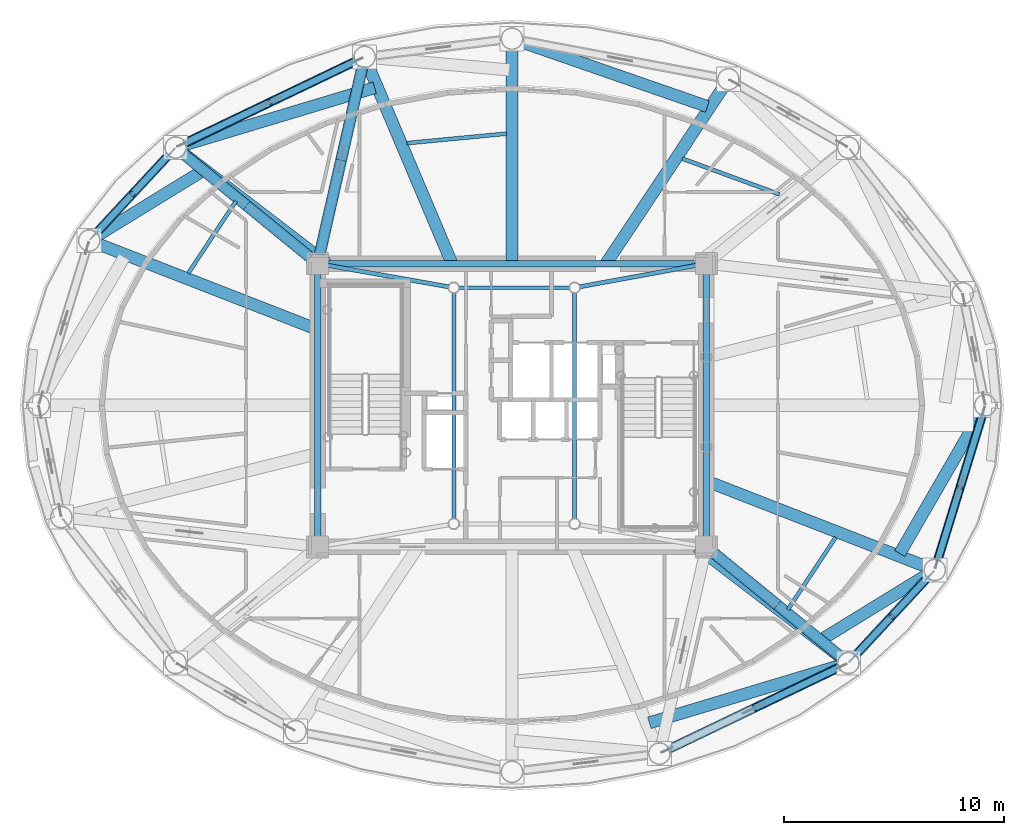
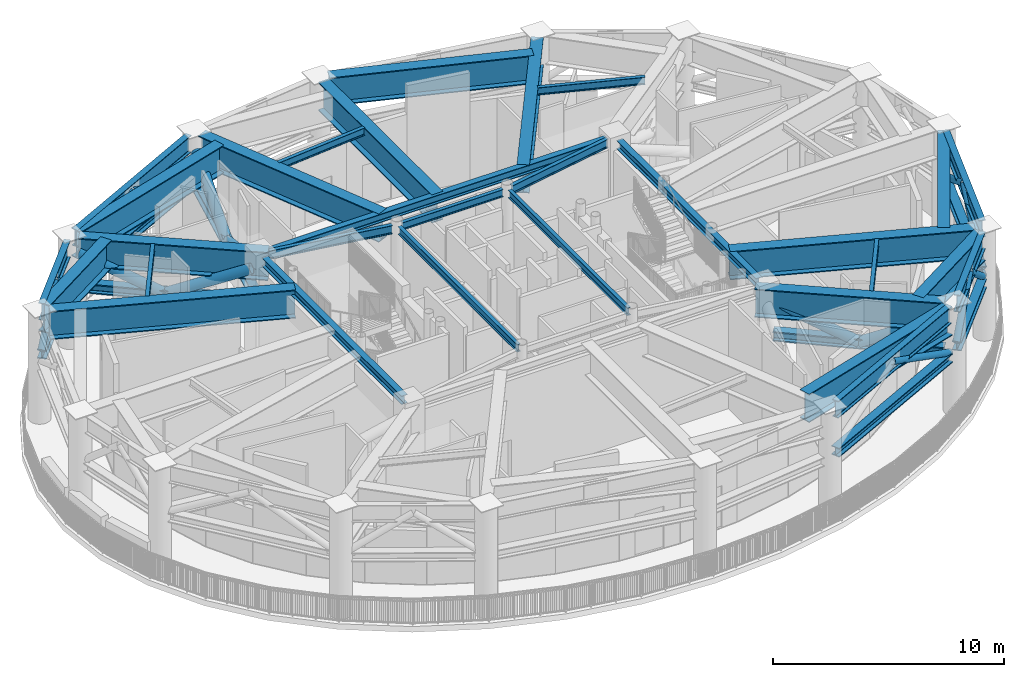
# One storey, part 3 of 17: 38 beams, 15 members.
"""IFC4 building model written with IfcOpenShell, lengths in metres."""

from ifc_helpers import new_model, si_unit, direction, frame, origin, origin_2d, place, context, subcontext, project, spatial, hollow_circle, i_section, extrude, material, material_profile, profile_set, type_object, element, save


model = new_model("IFC4")

# Units and contexts
model_context = context("Model", 3, precision=1e-05, world=origin(), true_north=direction((0.0, 1.0)))
body_context = subcontext(model_context, "Body", "Model", "MODEL_VIEW")
ifc_project = project(units=[si_unit("LENGTHUNIT", "METRE"), si_unit("AREAUNIT", "SQUARE_METRE"), si_unit("VOLUMEUNIT", "CUBIC_METRE"), si_unit("PLANEANGLEUNIT", "RADIAN"), si_unit("MASSUNIT", "GRAM", prefix="KILO")], contexts=[model_context])

# Site, building, storey
site_placement = place(None, origin())
site = spatial("IfcSite", under=ifc_project, at=site_placement, CompositionType="ELEMENT")
building_placement = place(site_placement, origin())
building = spatial("IfcBuilding", under=site, at=building_placement, Name="Linh Dai School and Residence Tower", CompositionType="ELEMENT")
storey_placement = place(building_placement, frame((0.0, 0.0, 318.0)))
storey = spatial("IfcBuildingStorey", under=building, at=storey_placement, Name="L79", CompositionType="ELEMENT", Elevation=318.0)

# Beams
ifc_material = material(Name="Structural Steel S355JR", Category="steel")
ifc_material_profile_1 = material_profile(ifc_material, i_section(OverallWidth=0.41796875, OverallDepth=0.506103515625, WebThickness=0.038818359375, FlangeThickness=0.05810546875, FilletRadius=0.014892578125, at=origin_2d()), Name="HD 400x551")
ifc_profile_set_1 = profile_set([ifc_material_profile_1], Name="Structural Steel S355JR")
beam_type_1 = type_object("IfcBeamType", Name="BM-BC1", PredefinedType="BEAM", material=ifc_profile_set_1)
beam_1_placement = place(storey_placement, frame((27.2431640625, 33.859619140625, 3.10009765625), z_axis=(0.221562396548, 0.975146196442, 0.0), x_axis=(-0.975146196442, 0.221562396548, 0.0)))
element("IfcBeam", 1, at=beam_1_placement, inside=storey, type_object=beam_type_1, Name="L79 Outrigger Truss OT3 Bottom Chord 03", PredefinedType="BEAM", context=body_context, shape_type="SweptSolid", body=[
    extrude(i_section(OverallWidth=0.41796875, OverallDepth=0.506103515625, WebThickness=0.038818359375, FlangeThickness=0.05810546875, FilletRadius=0.014892578125, at=origin_2d()), origin(), (0.0, 0.0, 1.0), 8.8076171875),
])
for number, where, z_axis, x_axis, name in (
    (2, (26.82470703125, 33.7158203125, 3.10009765625), (-0.774333784276, 0.632777362529, 0.0), (-0.632777362529, -0.774333784276, 0.0), "L79 Outrigger Truss OT3 Bottom Chord 04"),
    (3, (45.17529296875, 20.2841796875, 3.10009765625), (0.774333784276, -0.632777362529, 0.0), (0.632777362529, 0.774333784276, 0.0), "L79 Outrigger Truss OT3 Bottom Chord 08"),
):
    element("IfcBeam", number, at=place(storey_placement, frame(where, z_axis=z_axis, x_axis=x_axis)), inside=storey, type_object=beam_type_1, Name=name, PredefinedType="BEAM", context=body_context, shape_type="SweptSolid", body=[
        extrude(i_section(OverallWidth=0.41796875, OverallDepth=0.506103515625, WebThickness=0.038818359375, FlangeThickness=0.05810546875, FilletRadius=0.014892578125, at=origin_2d()), origin(), (0.0, 0.0, 1.0), 7.50927734375),
    ])
ifc_material_profile_2 = material_profile(ifc_material, i_section(OverallWidth=0.408935546875, OverallDepth=0.47509765625, WebThickness=0.02978515625, FlangeThickness=0.048095703125, FilletRadius=0.014892578125, at=origin_2d()), Name="HD 400x421")
ifc_profile_set_2 = profile_set([ifc_material_profile_2], Name="Structural Steel S355JR")
beam_type_2 = type_object("IfcBeamType", Name="BM-BC2", PredefinedType="BEAM", material=ifc_profile_set_2)
beam_2_placement = place(storey_placement, frame((28.908935546875, 42.67626953125, 3.050048828125), z_axis=(-0.901728757887, -0.4323022637, 0.0), x_axis=(0.4323022637, -0.901728757887, 0.0)))
element("IfcBeam", 4, at=beam_2_placement, inside=storey, type_object=beam_type_2, Name="L79 Ring Belt Truss BT4 Bottom Chord 06", PredefinedType="BEAM", context=body_context, shape_type="SweptSolid", body=[
    extrude(i_section(OverallWidth=0.408935546875, OverallDepth=0.47509765625, WebThickness=0.02978515625, FlangeThickness=0.048095703125, FilletRadius=0.014892578125, at=origin_2d()), origin(), (0.0, 0.0, 1.0), 8.700439453125),
])
beam_3_placement = place(storey_placement, frame((20.399169921875, 38.425537109375, 3.050048828125), z_axis=(-0.680415064526, -0.7328269509, 0.0), x_axis=(0.7328269509, -0.680415064526, 0.0)))
element("IfcBeam", 5, at=beam_3_placement, inside=storey, type_object=beam_type_2, Name="L79 Ring Belt Truss BT4 Bottom Chord 07", PredefinedType="BEAM", context=body_context, shape_type="SweptSolid", body=[
    extrude(i_section(OverallWidth=0.408935546875, OverallDepth=0.47509765625, WebThickness=0.02978515625, FlangeThickness=0.048095703125, FilletRadius=0.014892578125, at=origin_2d()), origin(), (0.0, 0.0, 1.0), 4.9375),
])
beam_4_placement = place(storey_placement, frame((43.091064453125, 11.32373046875, 3.050048828125), z_axis=(0.901728757887, 0.4323022637, 0.0), x_axis=(-0.4323022637, 0.901728757887, 0.0)))
element("IfcBeam", 6, at=beam_4_placement, inside=storey, type_object=beam_type_2, Name="L79 Ring Belt Truss BT4 Bottom Chord 14", PredefinedType="BEAM", context=body_context, shape_type="SweptSolid", body=[
    extrude(i_section(OverallWidth=0.408935546875, OverallDepth=0.47509765625, WebThickness=0.02978515625, FlangeThickness=0.048095703125, FilletRadius=0.014892578125, at=origin_2d()), origin(), (0.0, 0.0, 1.0), 8.700439453125),
])
beam_5_placement = place(storey_placement, frame((51.600830078125, 15.574462890625, 3.050048828125), z_axis=(0.680415064526, 0.7328269509, 0.0), x_axis=(-0.7328269509, 0.680415064526, 0.0)))
element("IfcBeam", 7, at=beam_5_placement, inside=storey, type_object=beam_type_2, Name="L79 Ring Belt Truss BT4 Bottom Chord 15", PredefinedType="BEAM", context=body_context, shape_type="SweptSolid", body=[
    extrude(i_section(OverallWidth=0.408935546875, OverallDepth=0.47509765625, WebThickness=0.02978515625, FlangeThickness=0.048095703125, FilletRadius=0.014892578125, at=origin_2d()), origin(), (0.0, 0.0, 1.0), 4.9375),
])
beam_6_placement = place(storey_placement, frame((55.369384765625, 19.902099609375, 3.050048828125), z_axis=(0.293681749834, 0.955903253376, 0.0), x_axis=(-0.955903253376, 0.293681749834, 0.0)))
element("IfcBeam", 8, at=beam_6_placement, inside=storey, type_object=beam_type_2, Name="L79 Ring Belt Truss BT4 Bottom Chord 16", PredefinedType="BEAM", context=body_context, shape_type="SweptSolid", body=[
    extrude(i_section(OverallWidth=0.408935546875, OverallDepth=0.47509765625, WebThickness=0.02978515625, FlangeThickness=0.048095703125, FilletRadius=0.014892578125, at=origin_2d()), origin(), (0.0, 0.0, 1.0), 7.00537109375),
])
ifc_material_profile_3 = material_profile(ifc_material, i_section(OverallWidth=0.300048828125, OverallDepth=0.449951171875, WebThickness=0.013916015625, FlangeThickness=0.02587890625, FilletRadius=0.027099609375, at=origin_2d()), Name="HEB 450")
ifc_profile_set_3 = profile_set([ifc_material_profile_3], Name="Structural Steel S355JR")
beam_type_3 = type_object("IfcBeamType", Name="BM-RG45", PredefinedType="BEAM", material=ifc_profile_set_3)
beam_7_placement = place(storey_placement, frame((44.85009765625, 20.969970703125, 5.52490234375), z_axis=(0.0, 1.0, 0.0), x_axis=(-1.0, 0.0, 0.0)))
element("IfcBeam", 9, at=beam_7_placement, inside=storey, type_object=beam_type_3, Name="L79 Core Perimeter Coupling Girder 2", PredefinedType="BEAM", context=body_context, shape_type="SweptSolid", body=[
    extrude(i_section(OverallWidth=0.300048828125, OverallDepth=0.449951171875, WebThickness=0.013916015625, FlangeThickness=0.02587890625, FilletRadius=0.027099609375, at=origin_2d()), origin(), (0.0, 0.0, 1.0), 12.06005859375),
])
beam_8_placement = place(storey_placement, frame((44.429931640625, 33.449951171875, 5.52490234375), z_axis=(-1.0, 0.0, 0.0), x_axis=(0.0, -1.0, 0.0)))
element("IfcBeam", 10, at=beam_8_placement, inside=storey, type_object=beam_type_3, Name="L79 Core Perimeter Coupling Girder 3", PredefinedType="BEAM", context=body_context, shape_type="SweptSolid", body=[
    extrude(i_section(OverallWidth=0.300048828125, OverallDepth=0.449951171875, WebThickness=0.013916015625, FlangeThickness=0.02587890625, FilletRadius=0.027099609375, at=origin_2d()), origin(), (0.0, 0.0, 1.0), 16.85986328125),
])
beam_9_placement = place(storey_placement, frame((27.14990234375, 33.030029296875, 5.52490234375), z_axis=(0.0, -1.0, 0.0), x_axis=(1.0, 0.0, 0.0)))
element("IfcBeam", 11, at=beam_9_placement, inside=storey, type_object=beam_type_3, Name="L79 Core Perimeter Coupling Girder 4", PredefinedType="BEAM", context=body_context, shape_type="SweptSolid", body=[
    extrude(i_section(OverallWidth=0.300048828125, OverallDepth=0.449951171875, WebThickness=0.013916015625, FlangeThickness=0.02587890625, FilletRadius=0.027099609375, at=origin_2d()), origin(), (0.0, 0.0, 1.0), 12.06005859375),
])
ifc_material_profile_4 = material_profile(ifc_material, i_section(OverallWidth=0.300048828125, OverallDepth=0.89990234375, WebThickness=0.0185546875, FlangeThickness=0.034912109375, FilletRadius=0.030029296875, at=origin_2d()), Name="HEB 900")
ifc_profile_set_4 = profile_set([ifc_material_profile_4], Name="Structural Steel S355JR")
beam_type_4 = type_object("IfcBeamType", Name="BM-RG9", PredefinedType="BEAM", material=ifc_profile_set_4)
beam_10_placement = place(storey_placement, frame((28.908935546875, 42.67626953125, 5.300048828125), z_axis=(-0.901728757887, -0.4323022637, 0.0), x_axis=(0.4323022637, -0.901728757887, 0.0)))
element("IfcBeam", 12, at=beam_10_placement, inside=storey, type_object=beam_type_4, Name="L79 Perimeter Elliptical Ring Beam 06", PredefinedType="BEAM", context=body_context, shape_type="SweptSolid", body=[
    extrude(i_section(OverallWidth=0.300048828125, OverallDepth=0.89990234375, WebThickness=0.0185546875, FlangeThickness=0.034912109375, FilletRadius=0.030029296875, at=origin_2d()), origin(), (0.0, 0.0, 1.0), 8.700439453125),
])
beam_11_placement = place(storey_placement, frame((20.399169921875, 38.425537109375, 5.300048828125), z_axis=(-0.680415064526, -0.7328269509, 0.0), x_axis=(0.7328269509, -0.680415064526, 0.0)))
element("IfcBeam", 13, at=beam_11_placement, inside=storey, type_object=beam_type_4, Name="L79 Perimeter Elliptical Ring Beam 07", PredefinedType="BEAM", context=body_context, shape_type="SweptSolid", body=[
    extrude(i_section(OverallWidth=0.300048828125, OverallDepth=0.89990234375, WebThickness=0.0185546875, FlangeThickness=0.034912109375, FilletRadius=0.030029296875, at=origin_2d()), origin(), (0.0, 0.0, 1.0), 4.9375),
])
beam_12_placement = place(storey_placement, frame((43.091064453125, 11.32373046875, 5.300048828125), z_axis=(0.901728757887, 0.4323022637, 0.0), x_axis=(-0.4323022637, 0.901728757887, 0.0)))
element("IfcBeam", 14, at=beam_12_placement, inside=storey, type_object=beam_type_4, Name="L79 Perimeter Elliptical Ring Beam 14", PredefinedType="BEAM", context=body_context, shape_type="SweptSolid", body=[
    extrude(i_section(OverallWidth=0.300048828125, OverallDepth=0.89990234375, WebThickness=0.0185546875, FlangeThickness=0.034912109375, FilletRadius=0.030029296875, at=origin_2d()), origin(), (0.0, 0.0, 1.0), 8.700439453125),
])
beam_13_placement = place(storey_placement, frame((51.600830078125, 15.574462890625, 5.300048828125), z_axis=(0.680415064526, 0.7328269509, 0.0), x_axis=(-0.7328269509, 0.680415064526, 0.0)))
element("IfcBeam", 15, at=beam_13_placement, inside=storey, type_object=beam_type_4, Name="L79 Perimeter Elliptical Ring Beam 15", PredefinedType="BEAM", context=body_context, shape_type="SweptSolid", body=[
    extrude(i_section(OverallWidth=0.300048828125, OverallDepth=0.89990234375, WebThickness=0.0185546875, FlangeThickness=0.034912109375, FilletRadius=0.030029296875, at=origin_2d()), origin(), (0.0, 0.0, 1.0), 4.9375),
])
beam_14_placement = place(storey_placement, frame((55.369384765625, 19.902099609375, 5.300048828125), z_axis=(0.293681749834, 0.955903253376, 0.0), x_axis=(-0.955903253376, 0.293681749834, 0.0)))
element("IfcBeam", 16, at=beam_14_placement, inside=storey, type_object=beam_type_4, Name="L79 Perimeter Elliptical Ring Beam 16", PredefinedType="BEAM", context=body_context, shape_type="SweptSolid", body=[
    extrude(i_section(OverallWidth=0.300048828125, OverallDepth=0.89990234375, WebThickness=0.0185546875, FlangeThickness=0.034912109375, FilletRadius=0.030029296875, at=origin_2d()), origin(), (0.0, 0.0, 1.0), 7.00537109375),
])
ifc_material_profile_5 = material_profile(ifc_material, i_section(OverallWidth=0.179931640625, OverallDepth=0.39990234375, WebThickness=0.008544921875, FlangeThickness=0.013427734375, FilletRadius=0.02099609375, at=origin_2d()), Name="IPE 400")
ifc_profile_set_5 = profile_set([ifc_material_profile_5], Name="Structural Steel S355JR")
beam_type_5 = type_object("IfcBeamType", Name="BM-SB40", PredefinedType="BEAM", material=ifc_profile_set_5)
beam_15_placement = place(storey_placement, frame((38.85009765625, 21.823974609375, 5.550048828125), z_axis=(0.0, 1.0, 0.0), x_axis=(-1.0, 0.0, 0.0)))
element("IfcBeam", 17, at=beam_15_placement, inside=storey, type_object=beam_type_5, Name="L79 Core Mast Pier Tie Beam 2", PredefinedType="BEAM", context=body_context, shape_type="SweptSolid", body=[
    extrude(i_section(OverallWidth=0.179931640625, OverallDepth=0.39990234375, WebThickness=0.008544921875, FlangeThickness=0.013427734375, FilletRadius=0.02099609375, at=origin_2d()), origin(), (0.0, 0.0, 1.0), 10.302001953125),
])
beam_16_placement = place(storey_placement, frame((38.6259765625, 32.35009765625, 5.550048828125), z_axis=(-1.0, 0.0, 0.0), x_axis=(0.0, -1.0, 0.0)))
element("IfcBeam", 18, at=beam_16_placement, inside=storey, type_object=beam_type_5, Name="L79 Core Mast Pier Tie Beam 3", PredefinedType="BEAM", context=body_context, shape_type="SweptSolid", body=[
    extrude(i_section(OverallWidth=0.179931640625, OverallDepth=0.39990234375, WebThickness=0.008544921875, FlangeThickness=0.013427734375, FilletRadius=0.02099609375, at=origin_2d()), origin(), (0.0, 0.0, 1.0), 5.052001953125),
])
beam_17_placement = place(storey_placement, frame((33.35009765625, 32.1259765625, 5.550048828125), z_axis=(0.0, -1.0, 0.0), x_axis=(1.0, 0.0, 0.0)))
element("IfcBeam", 19, at=beam_17_placement, inside=storey, type_object=beam_type_5, Name="L79 Core Mast Pier Tie Beam 4", PredefinedType="BEAM", context=body_context, shape_type="SweptSolid", body=[
    extrude(i_section(OverallWidth=0.179931640625, OverallDepth=0.39990234375, WebThickness=0.008544921875, FlangeThickness=0.013427734375, FilletRadius=0.02099609375, at=origin_2d()), origin(), (0.0, 0.0, 1.0), 10.302001953125),
])
beam_18_placement = place(storey_placement, frame((48.179443359375, 36.602294921875, 5.550048828125), z_axis=(-0.938701567491, 0.344730861962, 0.0), x_axis=(-0.344730861962, -0.938701567491, 0.0)))
element("IfcBeam", 20, at=beam_18_placement, inside=storey, type_object=beam_type_5, Name="L79 Secondary Circumferential Floor Beam 02", PredefinedType="BEAM", context=body_context, shape_type="SweptSolid", body=[
    extrude(i_section(OverallWidth=0.179931640625, OverallDepth=0.39990234375, WebThickness=0.008544921875, FlangeThickness=0.013427734375, FilletRadius=0.02099609375, at=origin_2d()), origin(), (0.0, 0.0, 1.0), 4.714599609375),
])
beam_19_placement = place(storey_placement, frame((35.74609375, 39.364990234375, 5.550048828125), z_axis=(-0.995444720932, -0.095340482322, 0.0), x_axis=(0.095340482322, -0.995444720932, 0.0)))
element("IfcBeam", 21, at=beam_19_placement, inside=storey, type_object=beam_type_5, Name="L79 Secondary Circumferential Floor Beam 03", PredefinedType="BEAM", context=body_context, shape_type="SweptSolid", body=[
    extrude(i_section(OverallWidth=0.179931640625, OverallDepth=0.39990234375, WebThickness=0.008544921875, FlangeThickness=0.013427734375, FilletRadius=0.02099609375, at=origin_2d()), origin(), (0.0, 0.0, 1.0), 4.552978515625),
])
for number, where, z_axis, x_axis, name in (
    (22, (23.4404296875, 36.3017578125, 5.550048828125), (-0.552142664686, -0.833749649375, 0.0), (0.833749649375, -0.552142664686, 0.0), "L79 Secondary Circumferential Floor Beam 04"),
    (23, (48.5595703125, 17.6982421875, 5.550048828125), (0.552142664686, 0.833749649375, 0.0), (-0.833749649375, 0.552142664686, 0.0), "L79 Secondary Circumferential Floor Beam 08"),
):
    element("IfcBeam", number, at=place(storey_placement, frame(where, z_axis=z_axis, x_axis=x_axis)), inside=storey, type_object=beam_type_5, Name=name, PredefinedType="BEAM", context=body_context, shape_type="SweptSolid", body=[
        extrude(i_section(OverallWidth=0.179931640625, OverallDepth=0.39990234375, WebThickness=0.008544921875, FlangeThickness=0.013427734375, FilletRadius=0.02099609375, at=origin_2d()), origin(), (0.0, 0.0, 1.0), 3.947265625),
    ])
ifc_material_profile_6 = material_profile(ifc_material, i_section(OverallWidth=0.18994140625, OverallDepth=0.449951171875, WebThickness=0.009521484375, FlangeThickness=0.0146484375, FilletRadius=0.02099609375, at=origin_2d()), Name="IPE 450")
ifc_profile_set_6 = profile_set([ifc_material_profile_6], Name="Structural Steel S355JR")
beam_type_6 = type_object("IfcBeamType", Name="BM-SB45", PredefinedType="BEAM", material=ifc_profile_set_6)
beam_20_placement = place(storey_placement, frame((44.436767578125, 33.374267578125, 5.52490234375), z_axis=(-0.983605366802, -0.180334362777, 0.0), x_axis=(0.180334362777, -0.983605366802, 0.0)))
element("IfcBeam", 24, at=beam_20_placement, inside=storey, type_object=beam_type_6, Name="L79 Core Corner-to-Mast Pier Beam 3", PredefinedType="BEAM", context=body_context, shape_type="SweptSolid", body=[
    extrude(i_section(OverallWidth=0.18994140625, OverallDepth=0.449951171875, WebThickness=0.009521484375, FlangeThickness=0.0146484375, FilletRadius=0.02099609375, at=origin_2d()), origin(), (0.0, 0.0, 1.0), 5.455810546875),
])
beam_21_placement = place(storey_placement, frame((27.5634765625, 33.376708984375, 5.52490234375), z_axis=(0.984621828197, -0.174699328672, 0.0), x_axis=(0.174699328672, 0.984621828197, 0.0)))
element("IfcBeam", 25, at=beam_21_placement, inside=storey, type_object=beam_type_6, Name="L79 Core Corner-to-Mast Pier Beam 4", PredefinedType="BEAM", context=body_context, shape_type="SweptSolid", body=[
    extrude(i_section(OverallWidth=0.18994140625, OverallDepth=0.449951171875, WebThickness=0.009521484375, FlangeThickness=0.0146484375, FilletRadius=0.02099609375, at=origin_2d()), origin(), (0.0, 0.0, 1.0), 5.65283203125),
])
ifc_material_profile_7 = material_profile(ifc_material, i_section(OverallWidth=0.550048828125, OverallDepth=1.5, WebThickness=0.028076171875, FlangeThickness=0.050048828125, at=origin_2d()), Name="PG 1500x550x28x50")
ifc_profile_set_7 = profile_set([ifc_material_profile_7], Name="Structural Steel S355JR")
beam_type_7 = type_object("IfcBeamType", Name="BM-TG15", PredefinedType="BEAM", material=ifc_profile_set_7)
beam_22_placement = place(storey_placement, frame((40.283447265625, 33.449951171875, 5.0), z_axis=(0.553210566646, 0.833041456922, 0.0), x_axis=(-0.833041456922, 0.553210566646, 0.0)))
element("IfcBeam", 26, at=beam_22_placement, inside=storey, type_object=beam_type_7, Name="L79 Radial Setback Transfer Girder 04", PredefinedType="BEAM", context=body_context, shape_type="SweptSolid", body=[
    extrude(i_section(OverallWidth=0.550048828125, OverallDepth=1.5, WebThickness=0.028076171875, FlangeThickness=0.050048828125, at=origin_2d()), origin(), (0.0, 0.0, 1.0), 9.650146484375),
])
beam_23_placement = place(storey_placement, frame((44.89697265625, 40.601318359375, 5.0), z_axis=(-0.944692462933, 0.327957543713, 0.0), x_axis=(-0.327957543713, -0.944692462933, 0.0)))
element("IfcBeam", 27, at=beam_23_placement, inside=storey, type_object=beam_type_7, Name="L79 Setback Diaphragm Transfer Girder 04", PredefinedType="BEAM", context=body_context, shape_type="SweptSolid", body=[
    extrude(i_section(OverallWidth=0.550048828125, OverallDepth=1.5, WebThickness=0.028076171875, FlangeThickness=0.050048828125, at=origin_2d()), origin(), (0.0, 0.0, 1.0), 8.997802734375),
])
beam_24_placement = place(storey_placement, frame((36.0, 33.449951171875, 5.0), z_axis=(0.0, 1.0, 0.0), x_axis=(-1.0, 0.0, 0.0)))
element("IfcBeam", 28, at=beam_24_placement, inside=storey, type_object=beam_type_7, Name="L79 Radial Setback Transfer Girder 05", PredefinedType="BEAM", context=body_context, shape_type="SweptSolid", body=[
    extrude(i_section(OverallWidth=0.550048828125, OverallDepth=1.5, WebThickness=0.028076171875, FlangeThickness=0.050048828125, at=origin_2d()), origin(), (0.0, 0.0, 1.0), 9.820068359375),
])
beam_25_placement = place(storey_placement, frame((33.269775390625, 33.449951171875, 5.0), z_axis=(-0.389794463678, 0.920901881899, 0.0), x_axis=(-0.920901881899, -0.389794463678, 0.0)))
element("IfcBeam", 29, at=beam_25_placement, inside=storey, type_object=beam_type_7, Name="L79 Radial Setback Transfer Girder 06", PredefinedType="BEAM", context=body_context, shape_type="SweptSolid", body=[
    extrude(i_section(OverallWidth=0.550048828125, OverallDepth=1.5, WebThickness=0.028076171875, FlangeThickness=0.050048828125, at=origin_2d()), origin(), (0.0, 0.0, 1.0), 9.7958984375),
])
beam_26_placement = place(storey_placement, frame((29.74755859375, 41.45947265625, 5.0), z_axis=(-0.957617249397, -0.288043753025, 0.0), x_axis=(0.288043753025, -0.957617249397, 0.0)))
element("IfcBeam", 30, at=beam_26_placement, inside=storey, type_object=beam_type_7, Name="L79 Setback Diaphragm Transfer Girder 06", PredefinedType="BEAM", context=body_context, shape_type="SweptSolid", body=[
    extrude(i_section(OverallWidth=0.550048828125, OverallDepth=1.5, WebThickness=0.028076171875, FlangeThickness=0.050048828125, at=origin_2d()), origin(), (0.0, 0.0, 1.0), 9.043701171875),
])
beam_27_placement = place(storey_placement, frame((27.5810546875, 33.449951171875, 5.0), z_axis=(-0.793802616583, 0.608175472956, 0.0), x_axis=(-0.608175472956, -0.793802616583, 0.0)))
element("IfcBeam", 31, at=beam_27_placement, inside=storey, type_object=beam_type_7, Name="L79 Radial Setback Transfer Girder 07", PredefinedType="BEAM", context=body_context, shape_type="SweptSolid", body=[
    extrude(i_section(OverallWidth=0.550048828125, OverallDepth=1.5, WebThickness=0.028076171875, FlangeThickness=0.050048828125, at=origin_2d()), origin(), (0.0, 0.0, 1.0), 8.267578125),
])
beam_28_placement = place(storey_placement, frame((21.895263671875, 37.659912109375, 5.0), z_axis=(-0.851895594327, -0.523711653839, 0.0), x_axis=(0.523711653839, -0.851895594327, 0.0)))
element("IfcBeam", 32, at=beam_28_placement, inside=storey, type_object=beam_type_7, Name="L79 Setback Diaphragm Transfer Girder 07", PredefinedType="BEAM", context=body_context, shape_type="SweptSolid", body=[
    extrude(i_section(OverallWidth=0.550048828125, OverallDepth=1.5, WebThickness=0.028076171875, FlangeThickness=0.050048828125, at=origin_2d()), origin(), (0.0, 0.0, 1.0), 5.614990234375),
])
beam_29_placement = place(storey_placement, frame((27.14990234375, 30.448486328125, 5.0), z_axis=(-0.931760809838, 0.363072710693, 0.0), x_axis=(-0.363072710693, -0.931760809838, 0.0)))
element("IfcBeam", 33, at=beam_29_placement, inside=storey, type_object=beam_type_7, Name="L79 Radial Setback Transfer Girder 08", PredefinedType="BEAM", context=body_context, shape_type="SweptSolid", body=[
    extrude(i_section(OverallWidth=0.550048828125, OverallDepth=1.5, WebThickness=0.028076171875, FlangeThickness=0.050048828125, at=origin_2d()), origin(), (0.0, 0.0, 1.0), 10.7373046875),
])
beam_30_placement = place(storey_placement, frame((42.25244140625, 12.54052734375, 5.0), z_axis=(0.957617249397, 0.288043753025, 0.0), x_axis=(-0.288043753025, 0.957617249397, 0.0)))
element("IfcBeam", 34, at=beam_30_placement, inside=storey, type_object=beam_type_7, Name="L79 Setback Diaphragm Transfer Girder 14", PredefinedType="BEAM", context=body_context, shape_type="SweptSolid", body=[
    extrude(i_section(OverallWidth=0.550048828125, OverallDepth=1.5, WebThickness=0.028076171875, FlangeThickness=0.050048828125, at=origin_2d()), origin(), (0.0, 0.0, 1.0), 9.043701171875),
])
beam_31_placement = place(storey_placement, frame((44.4189453125, 20.550048828125, 5.0), z_axis=(0.793802616583, -0.608175472956, 0.0), x_axis=(0.608175472956, 0.793802616583, 0.0)))
element("IfcBeam", 35, at=beam_31_placement, inside=storey, type_object=beam_type_7, Name="L79 Radial Setback Transfer Girder 15", PredefinedType="BEAM", context=body_context, shape_type="SweptSolid", body=[
    extrude(i_section(OverallWidth=0.550048828125, OverallDepth=1.5, WebThickness=0.028076171875, FlangeThickness=0.050048828125, at=origin_2d()), origin(), (0.0, 0.0, 1.0), 8.267578125),
])
beam_32_placement = place(storey_placement, frame((50.104736328125, 16.340087890625, 5.0), z_axis=(0.851895594327, 0.523711653839, 0.0), x_axis=(-0.523711653839, 0.851895594327, 0.0)))
element("IfcBeam", 36, at=beam_32_placement, inside=storey, type_object=beam_type_7, Name="L79 Setback Diaphragm Transfer Girder 15", PredefinedType="BEAM", context=body_context, shape_type="SweptSolid", body=[
    extrude(i_section(OverallWidth=0.550048828125, OverallDepth=1.5, WebThickness=0.028076171875, FlangeThickness=0.050048828125, at=origin_2d()), origin(), (0.0, 0.0, 1.0), 5.614990234375),
])
beam_33_placement = place(storey_placement, frame((44.85009765625, 23.551513671875, 5.0), z_axis=(0.931760809838, -0.363072710693, 0.0), x_axis=(0.363072710693, 0.931760809838, 0.0)))
element("IfcBeam", 37, at=beam_33_placement, inside=storey, type_object=beam_type_7, Name="L79 Radial Setback Transfer Girder 16", PredefinedType="BEAM", context=body_context, shape_type="SweptSolid", body=[
    extrude(i_section(OverallWidth=0.550048828125, OverallDepth=1.5, WebThickness=0.028076171875, FlangeThickness=0.050048828125, at=origin_2d()), origin(), (0.0, 0.0, 1.0), 10.7373046875),
])
beam_34_placement = place(storey_placement, frame((53.655029296875, 20.25146484375, 5.0), z_axis=(0.499879175659, 0.866095150513, 0.0), x_axis=(-0.866095150513, 0.499879175659, 0.0)))
element("IfcBeam", 38, at=beam_34_placement, inside=storey, type_object=beam_type_7, Name="L79 Setback Diaphragm Transfer Girder 16", PredefinedType="BEAM", context=body_context, shape_type="SweptSolid", body=[
    extrude(i_section(OverallWidth=0.550048828125, OverallDepth=1.5, WebThickness=0.028076171875, FlangeThickness=0.050048828125, at=origin_2d()), origin(), (0.0, 0.0, 1.0), 7.371826171875),
])

# Members
ifc_material_profile_8 = material_profile(ifc_material, hollow_circle(Radius=0.161865234375, WallThickness=0.012451171875, at=origin_2d()), Name="CHS 323.9x12.5")
ifc_profile_set_8 = profile_set([ifc_material_profile_8], Name="Structural Steel S355JR")
member_type_1 = type_object("IfcMemberType", Name="MBR-BT4", PredefinedType="BRACE", material=ifc_profile_set_8)
member_1_placement = place(storey_placement, frame((28.945068359375, 42.693603515625, 3.229248046875), z_axis=(-0.815549744351, -0.391001154029, 0.426610726585), x_axis=(0.432315209111, -0.901722551549, 0.0)))
element("IfcMember", 39, at=member_1_placement, inside=storey, type_object=member_type_1, Name="L79 Ring Belt Truss BT4 Diagonal 06A", PredefinedType="BRACE", context=body_context, shape_type="SweptSolid", body=[
    extrude(hollow_circle(Radius=0.161865234375, WallThickness=0.012451171875, at=origin_2d()), origin(), (0.0, 0.0, 1.0), 4.85400390625),
])
member_2_placement = place(storey_placement, frame((21.02734375, 38.897705078125, 3.229248046875), z_axis=(0.815566586371, 0.390985116086, 0.426593228022), x_axis=(-0.432293531564, 0.901732944152, 0.0)))
element("IfcMember", 40, at=member_2_placement, inside=storey, type_object=member_type_1, Name="L79 Ring Belt Truss BT4 Diagonal 06B", PredefinedType="BRACE", context=body_context, shape_type="SweptSolid", body=[
    extrude(hollow_circle(Radius=0.161865234375, WallThickness=0.012451171875, at=origin_2d()), origin(), (0.0, 0.0, 1.0), 4.854248046875),
])
member_3_placement = place(storey_placement, frame((20.45947265625, 38.490478515625, 3.30810546875), z_axis=(-0.536784337251, -0.578133376279, 0.614511492582), x_axis=(0.732827493715, -0.680414479899, 0.0)))
element("IfcMember", 41, at=member_3_placement, inside=storey, type_object=member_type_1, Name="L79 Ring Belt Truss BT4 Diagonal 07A", PredefinedType="BRACE", context=body_context, shape_type="SweptSolid", body=[
    extrude(hollow_circle(Radius=0.161865234375, WallThickness=0.012451171875, at=origin_2d()), origin(), (0.0, 0.0, 1.0), 3.241455078125),
])
member_4_placement = place(storey_placement, frame((16.979248046875, 34.7421875, 3.30810546875), z_axis=(0.536814575571, 0.578160142629, 0.614459893671), x_axis=(-0.73282408946, 0.680418146368, 0.0)))
element("IfcMember", 42, at=member_4_placement, inside=storey, type_object=member_type_1, Name="L79 Ring Belt Truss BT4 Diagonal 07B", PredefinedType="BRACE", context=body_context, shape_type="SweptSolid", body=[
    extrude(hollow_circle(Radius=0.161865234375, WallThickness=0.012451171875, at=origin_2d()), origin(), (0.0, 0.0, 1.0), 3.24169921875),
])
member_5_placement = place(storey_placement, frame((50.97265625, 15.102294921875, 3.229248046875), z_axis=(-0.815566586371, -0.390985116086, 0.426593228022), x_axis=(0.432293531564, -0.901732944152, 0.0)))
element("IfcMember", 43, at=member_5_placement, inside=storey, type_object=member_type_1, Name="L79 Ring Belt Truss BT4 Diagonal 14B", PredefinedType="BRACE", context=body_context, shape_type="SweptSolid", body=[
    extrude(hollow_circle(Radius=0.161865234375, WallThickness=0.012451171875, at=origin_2d()), origin(), (0.0, 0.0, 1.0), 4.854248046875),
])
member_6_placement = place(storey_placement, frame((51.54052734375, 15.509521484375, 3.30810546875), z_axis=(0.536784337251, 0.578133376279, 0.614511492582), x_axis=(-0.732827493715, 0.680414479899, 0.0)))
element("IfcMember", 44, at=member_6_placement, inside=storey, type_object=member_type_1, Name="L79 Ring Belt Truss BT4 Diagonal 15A", PredefinedType="BRACE", context=body_context, shape_type="SweptSolid", body=[
    extrude(hollow_circle(Radius=0.161865234375, WallThickness=0.012451171875, at=origin_2d()), origin(), (0.0, 0.0, 1.0), 3.241455078125),
])
member_7_placement = place(storey_placement, frame((55.020751953125, 19.2578125, 3.30810546875), z_axis=(-0.536814575571, -0.578160142629, 0.614459893671), x_axis=(0.73282408946, -0.680418146368, 0.0)))
element("IfcMember", 45, at=member_7_placement, inside=storey, type_object=member_type_1, Name="L79 Ring Belt Truss BT4 Diagonal 15B", PredefinedType="BRACE", context=body_context, shape_type="SweptSolid", body=[
    extrude(hollow_circle(Radius=0.161865234375, WallThickness=0.012451171875, at=origin_2d()), origin(), (0.0, 0.0, 1.0), 3.24169921875),
])
member_8_placement = place(storey_placement, frame((55.35302734375, 19.848876953125, 3.259033203125), z_axis=(0.254730938929, 0.829184916158, 0.497558562954), x_axis=(-0.955909463753, 0.293661534946, 0.0)))
element("IfcMember", 46, at=member_8_placement, inside=storey, type_object=member_type_1, Name="L79 Ring Belt Truss BT4 Diagonal 16A", PredefinedType="BRACE", context=body_context, shape_type="SweptSolid", body=[
    extrude(hollow_circle(Radius=0.161865234375, WallThickness=0.012451171875, at=origin_2d()), origin(), (0.0, 0.0, 1.0), 4.10205078125),
])
member_9_placement = place(storey_placement, frame((57.443115234375, 26.65185546875, 3.259033203125), z_axis=(-0.254774019415, -0.829190939618, 0.497526466318), x_axis=(0.955896120374, -0.293704966003, 0.0)))
element("IfcMember", 47, at=member_9_placement, inside=storey, type_object=member_type_1, Name="L79 Ring Belt Truss BT4 Diagonal 16B", PredefinedType="BRACE", context=body_context, shape_type="SweptSolid", body=[
    extrude(hollow_circle(Radius=0.161865234375, WallThickness=0.012451171875, at=origin_2d()), origin(), (0.0, 0.0, 1.0), 4.102294921875),
])
ifc_material_profile_9 = material_profile(ifc_material, hollow_circle(Radius=0.25390625, WallThickness=0.02001953125, at=origin_2d()), Name="CHS 508x20")
ifc_profile_set_9 = profile_set([ifc_material_profile_9], Name="Structural Steel S355JR")
member_type_2 = type_object("IfcMemberType", Name="MBR-OT3", PredefinedType="BRACE", material=ifc_profile_set_9)
member_10_placement = place(storey_placement, frame((27.236572265625, 33.8310546875, 4.84619140625), z_axis=(0.206148346329, 0.907298687572, -0.366485949029), x_axis=(-0.97514583824, 0.221563973073, 0.0)))
element("IfcMember", 48, at=member_10_placement, inside=storey, type_object=member_type_2, Name="L79 Outrigger Truss OT3 Web Diagonal 03A", PredefinedType="BRACE", context=body_context, shape_type="SweptSolid", body=[
    extrude(hollow_circle(Radius=0.25390625, WallThickness=0.02001953125, at=origin_2d()), origin(), (0.0, 0.0, 1.0), 4.764404296875),
])
member_11_placement = place(storey_placement, frame((29.200927734375, 42.476806640625, 4.84619140625), z_axis=(-0.206138762436, -0.90730774707, -0.366468910998), x_axis=(0.975148541653, -0.221552074494, 0.0)))
element("IfcMember", 49, at=member_11_placement, inside=storey, type_object=member_type_2, Name="L79 Outrigger Truss OT3 Web Diagonal 03B", PredefinedType="BRACE", context=body_context, shape_type="SweptSolid", body=[
    extrude(hollow_circle(Radius=0.25390625, WallThickness=0.02001953125, at=origin_2d()), origin(), (0.0, 0.0, 1.0), 4.7646484375),
])
member_12_placement = place(storey_placement, frame((26.85400390625, 33.69189453125, 4.825927734375), z_axis=(-0.704764011253, 0.57597524365, -0.414198270331), x_axis=(-0.632810011578, -0.774307102671, 0.0)))
element("IfcMember", 50, at=member_12_placement, inside=storey, type_object=member_type_2, Name="L79 Outrigger Truss OT3 Web Diagonal 04A", PredefinedType="BRACE", context=body_context, shape_type="SweptSolid", body=[
    extrude(hollow_circle(Radius=0.25390625, WallThickness=0.02001953125, at=origin_2d()), origin(), (0.0, 0.0, 1.0), 4.166748046875),
])
member_13_placement = place(storey_placement, frame((20.98095703125, 38.491455078125, 4.825927734375), z_axis=(0.704787795956, -0.575936086336, -0.414212248887), x_axis=(0.632771412863, 0.774338646242, 0.0)))
element("IfcMember", 51, at=member_13_placement, inside=storey, type_object=member_type_2, Name="L79 Outrigger Truss OT3 Web Diagonal 04B", PredefinedType="BRACE", context=body_context, shape_type="SweptSolid", body=[
    extrude(hollow_circle(Radius=0.25390625, WallThickness=0.02001953125, at=origin_2d()), origin(), (0.0, 0.0, 1.0), 4.16650390625),
])
member_14_placement = place(storey_placement, frame((45.14599609375, 20.30810546875, 4.825927734375), z_axis=(0.704764011253, -0.57597524365, -0.414198270331), x_axis=(0.632810011578, 0.774307102671, 0.0)))
element("IfcMember", 52, at=member_14_placement, inside=storey, type_object=member_type_2, Name="L79 Outrigger Truss OT3 Web Diagonal 08A", PredefinedType="BRACE", context=body_context, shape_type="SweptSolid", body=[
    extrude(hollow_circle(Radius=0.25390625, WallThickness=0.02001953125, at=origin_2d()), origin(), (0.0, 0.0, 1.0), 4.166748046875),
])
member_15_placement = place(storey_placement, frame((51.01904296875, 15.508544921875, 4.825927734375), z_axis=(-0.704787795956, 0.575936086336, -0.414212248887), x_axis=(-0.632771412863, -0.774338646242, 0.0)))
element("IfcMember", 53, at=member_15_placement, inside=storey, type_object=member_type_2, Name="L79 Outrigger Truss OT3 Web Diagonal 08B", PredefinedType="BRACE", context=body_context, shape_type="SweptSolid", body=[
    extrude(hollow_circle(Radius=0.25390625, WallThickness=0.02001953125, at=origin_2d()), origin(), (0.0, 0.0, 1.0), 4.16650390625),
])

save(model, "model.ifc")
